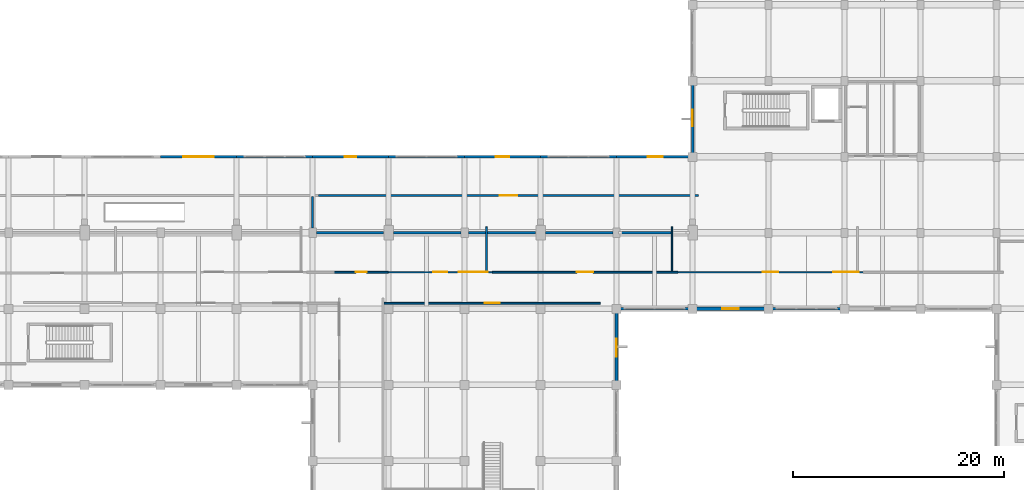
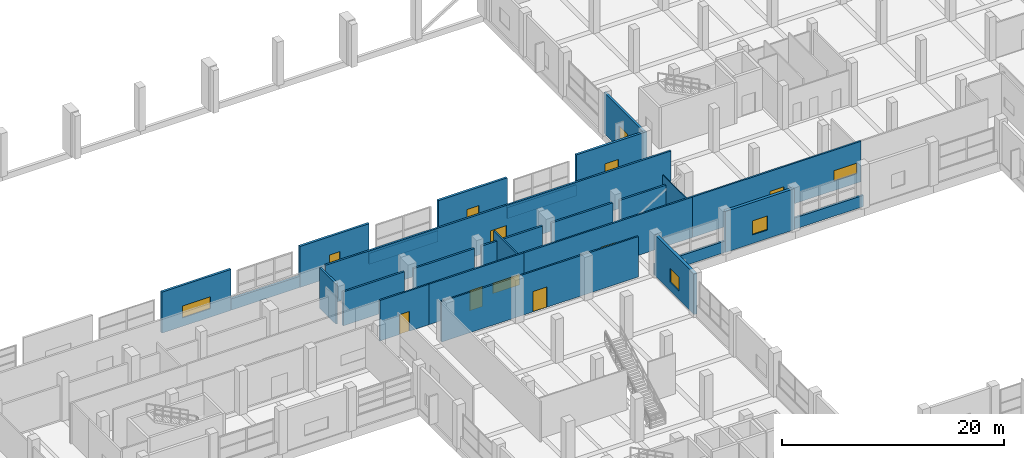
# One storey, part 163 of 181: 27 walls, 9 windows, 6 doors, 15 openings.
"""IFC4 building model written with IfcOpenShell, lengths in metres."""

from ifc_helpers import new_model, si_unit, direction, frame, frame_2d, origin, place, context, subcontext, project, spatial, rectangle, extrude, material, layer, layer_set, type_object, element, fill, save


model = new_model("IFC4")

# Units and contexts
model_context = context("Model", 3, precision=1e-05, world=origin(), true_north=direction((0.0, 1.0)))
body_context = subcontext(model_context, "Body", "Model", "MODEL_VIEW")
ifc_project = project(units=[si_unit("LENGTHUNIT", "METRE"), si_unit("AREAUNIT", "SQUARE_METRE"), si_unit("VOLUMEUNIT", "CUBIC_METRE"), si_unit("PLANEANGLEUNIT", "RADIAN"), si_unit("MASSUNIT", "GRAM", prefix="KILO")], contexts=[model_context])

# Site, building, storey
site_placement = place(None, origin())
site = spatial("IfcSite", under=ifc_project, at=site_placement, CompositionType="ELEMENT")
building_placement = place(site_placement, origin())
building = spatial("IfcBuilding", under=site, at=building_placement, Name="Seraya Terrace Polytechnic", CompositionType="ELEMENT")
storey_placement = place(building_placement, frame((0.0, 0.0, 4.800048828125)))
storey = spatial("IfcBuildingStorey", under=building, at=storey_placement, Name="L01", CompositionType="ELEMENT", Elevation=4.800048828125)

# Wall, opening, window
ifc_material_1 = material(Name="Concrete C40/50", Category="concrete")
ifc_layer_1 = layer(ifc_material_1, 0.300048828125, Name="EW-01")
ifc_layer_set_1 = layer_set([ifc_layer_1], Name="Concrete C40/50")
wall_type_1 = type_object("IfcWallType", Name="EW-01", PredefinedType="SOLIDWALL", material=ifc_layer_set_1)
wall_1_placement = place(storey_placement, frame((122.39990234375, 72.0, 0.0), z_axis=(0.0, 0.0, 1.0), x_axis=(-1.0, 0.0, 0.0)))
wall_1 = element("IfcWall", 1, at=wall_1_placement, inside=storey, type_object=wall_type_1, Name="Exterior structural wall EW-01 L01", PredefinedType="SOLIDWALL", context=body_context, shape_type="SweptSolid", body=[
    extrude(rectangle(XDim=7.199951171875, YDim=0.300048828125, at=frame_2d((3.60009765625, 0.0))), origin(), (0.0, 0.0, 1.0), 4.52001953125),
])
opening_1_placement = place(wall_1_placement, frame((2.824951171875, 0.0, 0.949951171875)))
opening_1 = element("IfcOpeningElement", 2, at=opening_1_placement, cuts=wall_1, Name="Opening WN-16", PredefinedType="OPENING", context=body_context, shape_type="SweptSolid", body=[
    extrude(rectangle(XDim=1.550048828125, YDim=1.550048828125, at=frame_2d((0.77490234375, 0.77490234375))), frame((0.0, 0.162109375, 0.0), z_axis=(0.0, -1.0, 0.0), x_axis=(1.0, 0.0, 0.0)), (0.0, 0.0, 1.0), 0.323974609375),
])
ifc_material_2 = material(Name="Laminated solar-control Low-E double glazing", Category="glass")
window_type_1 = type_object("IfcWindowType", Name="WN-16", PartitioningType="SINGLE_PANEL", PredefinedType="WINDOW", material=ifc_material_2)
window_1_placement = place(opening_1_placement, origin())
window_1 = element("IfcWindow", 3, at=window_1_placement, inside=storey, type_object=window_type_1, Name="Exterior window WN-16 L01", OverallHeight=1.550048828125, OverallWidth=1.550048828125, PartitioningType="SINGLE_PANEL", PredefinedType="WINDOW", context=body_context, shape_type="SweptSolid", body=[
    extrude(rectangle(XDim=1.550048828125, YDim=1.550048828125, at=frame_2d((0.77490234375, 0.77490234375))), frame((0.0, 0.030029296875, 0.0), z_axis=(0.0, -1.0, 0.0), x_axis=(1.0, 0.0, 0.0)), (0.0, 0.0, 1.0), 0.06005859375),
])
fill(opening_1, window_1)

wall_2_placement = place(storey_placement, frame((108.0, 71.847900390625, 0.0), z_axis=(0.0, 0.0, 1.0), x_axis=(0.0, -1.0, 0.0)))
wall_2 = element("IfcWall", 4, at=wall_2_placement, inside=storey, type_object=wall_type_1, Name="Exterior structural wall EW-01 L01", PredefinedType="SOLIDWALL", context=body_context, shape_type="SweptSolid", body=[
    extrude(rectangle(XDim=7.0478515625, YDim=0.300048828125, at=frame_2d((3.52392578125, 0.0))), origin(), (0.0, 0.0, 1.0), 4.52001953125),
])
opening_2_placement = place(wall_2_placement, frame((2.674072265625, 0.0, 0.949951171875)))
opening_2 = element("IfcOpeningElement", 5, at=opening_2_placement, cuts=wall_2, Name="Opening WN-17", PredefinedType="OPENING", context=body_context, shape_type="SweptSolid", body=[
    extrude(rectangle(XDim=1.699951171875, YDim=1.550048828125, at=frame_2d((0.85009765625, 0.77490234375))), frame((0.0, 0.162109375, 0.0), z_axis=(0.0, -1.0, 0.0), x_axis=(1.0, 0.0, 0.0)), (0.0, 0.0, 1.0), 0.323974609375),
])
window_type_2 = type_object("IfcWindowType", Name="WN-17", PartitioningType="SINGLE_PANEL", PredefinedType="WINDOW", material=ifc_material_2)
window_2_placement = place(opening_2_placement, origin())
window_2 = element("IfcWindow", 6, at=window_2_placement, inside=storey, type_object=window_type_2, Name="Exterior window WN-17 L01", OverallHeight=1.550048828125, OverallWidth=1.699951171875, PartitioningType="SINGLE_PANEL", PredefinedType="WINDOW", context=body_context, shape_type="SweptSolid", body=[
    extrude(rectangle(XDim=1.699951171875, YDim=1.550048828125, at=frame_2d((0.85009765625, 0.77490234375))), frame((0.0, 0.030029296875, 0.0), z_axis=(0.0, -1.0, 0.0), x_axis=(1.0, 0.0, 0.0)), (0.0, 0.0, 1.0), 0.06005859375),
])
fill(opening_2, window_2)

ifc_layer_2 = layer(ifc_material_1, 0.239990234375, Name="EW-04")
ifc_layer_set_2 = layer_set([ifc_layer_2], Name="Concrete C40/50")
wall_type_2 = type_object("IfcWallType", Name="EW-04", PredefinedType="SOLIDWALL", material=ifc_layer_set_2)
wall_3_placement = place(storey_placement, frame((64.800048828125, 86.39990234375, 0.0), z_axis=(0.0, 0.0, 1.0), x_axis=(1.0, 0.0, 0.0)))
wall_3 = element("IfcWall", 7, at=wall_3_placement, inside=storey, type_object=wall_type_2, Name="Exterior structural wall EW-04 L01", PredefinedType="SOLIDWALL", context=body_context, shape_type="SweptSolid", body=[
    extrude(rectangle(XDim=7.199951171875, YDim=0.239990234375, at=frame_2d((3.60009765625, 0.0))), origin(), (0.0, 0.0, 1.0), 4.52001953125),
])
opening_3_placement = place(wall_3_placement, frame((2.14990234375, 0.0, 0.949951171875)))
opening_3 = element("IfcOpeningElement", 8, at=opening_3_placement, cuts=wall_3, Name="Opening WN-12", PredefinedType="OPENING", context=body_context, shape_type="SweptSolid", body=[
    extrude(rectangle(XDim=2.89990234375, YDim=1.300048828125, at=frame_2d((1.449951171875, 0.64990234375))), frame((0.0, 0.1318359375, 0.0), z_axis=(0.0, -1.0, 0.0), x_axis=(1.0, 0.0, 0.0)), (0.0, 0.0, 1.0), 0.263916015625),
])
window_type_3 = type_object("IfcWindowType", Name="WN-12", PartitioningType="SINGLE_PANEL", PredefinedType="WINDOW", material=ifc_material_2)
window_3_placement = place(opening_3_placement, origin())
window_3 = element("IfcWindow", 9, at=window_3_placement, inside=storey, type_object=window_type_3, Name="Exterior window WN-12 L01", OverallHeight=1.300048828125, OverallWidth=2.89990234375, PartitioningType="SINGLE_PANEL", PredefinedType="WINDOW", context=body_context, shape_type="SweptSolid", body=[
    extrude(rectangle(XDim=2.89990234375, YDim=1.300048828125, at=frame_2d((1.449951171875, 0.64990234375))), frame((0.0, 0.030029296875, 0.0), z_axis=(0.0, -1.0, 0.0), x_axis=(1.0, 0.0, 0.0)), (0.0, 0.0, 1.0), 0.06005859375),
])
fill(opening_3, window_3)

wall_4_placement = place(storey_placement, frame((79.199951171875, 86.39990234375, 0.0), z_axis=(0.0, 0.0, 1.0), x_axis=(1.0, 0.0, 0.0)))
wall_4 = element("IfcWall", 10, at=wall_4_placement, inside=storey, type_object=wall_type_2, Name="Exterior structural wall EW-04 L01", PredefinedType="SOLIDWALL", context=body_context, shape_type="SweptSolid", body=[
    extrude(rectangle(XDim=7.199951171875, YDim=0.239990234375, at=frame_2d((3.60009765625, 0.0))), origin(), (0.0, 0.0, 1.0), 4.52001953125),
])
opening_4_placement = place(wall_4_placement, frame((3.050048828125, 0.0, 0.949951171875)))
opening_4 = element("IfcOpeningElement", 11, at=opening_4_placement, cuts=wall_4, Name="Opening WN-13", PredefinedType="OPENING", context=body_context, shape_type="SweptSolid", body=[
    extrude(rectangle(XDim=1.10009765625, YDim=1.550048828125, at=frame_2d((0.550048828125, 0.77490234375))), frame((0.0, 0.1318359375, 0.0), z_axis=(0.0, -1.0, 0.0), x_axis=(1.0, 0.0, 0.0)), (0.0, 0.0, 1.0), 0.263916015625),
])
window_type_4 = type_object("IfcWindowType", Name="WN-13", PartitioningType="SINGLE_PANEL", PredefinedType="WINDOW", material=ifc_material_2)
window_4_placement = place(opening_4_placement, origin())
window_4 = element("IfcWindow", 12, at=window_4_placement, inside=storey, type_object=window_type_4, Name="Exterior window WN-13 L01", OverallHeight=1.550048828125, OverallWidth=1.10009765625, PartitioningType="SINGLE_PANEL", PredefinedType="WINDOW", context=body_context, shape_type="SweptSolid", body=[
    extrude(rectangle(XDim=1.10009765625, YDim=1.550048828125, at=frame_2d((0.550048828125, 0.77490234375))), frame((0.0, 0.030029296875, 0.0), z_axis=(0.0, -1.0, 0.0), x_axis=(1.0, 0.0, 0.0)), (0.0, 0.0, 1.0), 0.06005859375),
])
fill(opening_4, window_4)

wall_5_placement = place(storey_placement, frame((93.60009765625, 86.39990234375, 0.0), z_axis=(0.0, 0.0, 1.0), x_axis=(1.0, 0.0, 0.0)))
wall_5 = element("IfcWall", 13, at=wall_5_placement, inside=storey, type_object=wall_type_2, Name="Exterior structural wall EW-04 L01", PredefinedType="SOLIDWALL", context=body_context, shape_type="SweptSolid", body=[
    extrude(rectangle(XDim=7.199951171875, YDim=0.239990234375, at=frame_2d((3.60009765625, 0.0))), origin(), (0.0, 0.0, 1.0), 4.52001953125),
])
opening_5_placement = place(wall_5_placement, frame((2.97509765625, 0.0, 0.949951171875)))
opening_5 = element("IfcOpeningElement", 14, at=opening_5_placement, cuts=wall_5, Name="Opening WN-14", PredefinedType="OPENING", context=body_context, shape_type="SweptSolid", body=[
    extrude(rectangle(XDim=1.25, YDim=1.550048828125, at=frame_2d((0.625, 0.77490234375))), frame((0.0, 0.1318359375, 0.0), z_axis=(0.0, -1.0, 0.0), x_axis=(1.0, 0.0, 0.0)), (0.0, 0.0, 1.0), 0.263916015625),
])
window_type_5 = type_object("IfcWindowType", Name="WN-14", PartitioningType="SINGLE_PANEL", PredefinedType="WINDOW", material=ifc_material_2)
window_5_placement = place(opening_5_placement, origin())
window_5 = element("IfcWindow", 15, at=window_5_placement, inside=storey, type_object=window_type_5, Name="Exterior window WN-14 L01", OverallHeight=1.550048828125, OverallWidth=1.25, PartitioningType="SINGLE_PANEL", PredefinedType="WINDOW", context=body_context, shape_type="SweptSolid", body=[
    extrude(rectangle(XDim=1.25, YDim=1.550048828125, at=frame_2d((0.625, 0.77490234375))), frame((0.0, 0.030029296875, 0.0), z_axis=(0.0, -1.0, 0.0), x_axis=(1.0, 0.0, 0.0)), (0.0, 0.0, 1.0), 0.06005859375),
])
fill(opening_5, window_5)

wall_6_placement = place(storey_placement, frame((108.0, 86.39990234375, 0.0), z_axis=(0.0, 0.0, 1.0), x_axis=(1.0, 0.0, 0.0)))
wall_6 = element("IfcWall", 16, at=wall_6_placement, inside=storey, type_object=wall_type_2, Name="Exterior structural wall EW-04 L01", PredefinedType="SOLIDWALL", context=body_context, shape_type="SweptSolid", body=[
    extrude(rectangle(XDim=7.35009765625, YDim=0.239990234375, at=frame_2d((3.675048828125, 0.0))), origin(), (0.0, 0.0, 1.0), 4.52001953125),
])
opening_6_placement = place(wall_6_placement, frame((2.97509765625, 0.0, 0.949951171875)))
opening_6 = element("IfcOpeningElement", 17, at=opening_6_placement, cuts=wall_6, Name="Opening WN-15", PredefinedType="OPENING", context=body_context, shape_type="SweptSolid", body=[
    extrude(rectangle(XDim=1.39990234375, YDim=1.550048828125, at=frame_2d((0.699951171875, 0.77490234375))), frame((0.0, 0.1318359375, 0.0), z_axis=(0.0, -1.0, 0.0), x_axis=(1.0, 0.0, 0.0)), (0.0, 0.0, 1.0), 0.263916015625),
])
window_type_6 = type_object("IfcWindowType", Name="WN-15", PartitioningType="SINGLE_PANEL", PredefinedType="WINDOW", material=ifc_material_2)
window_6_placement = place(opening_6_placement, origin())
window_6 = element("IfcWindow", 18, at=window_6_placement, inside=storey, type_object=window_type_6, Name="Exterior window WN-15 L01", OverallHeight=1.550048828125, OverallWidth=1.39990234375, PartitioningType="SINGLE_PANEL", PredefinedType="WINDOW", context=body_context, shape_type="SweptSolid", body=[
    extrude(rectangle(XDim=1.39990234375, YDim=1.550048828125, at=frame_2d((0.699951171875, 0.77490234375))), frame((0.0, 0.030029296875, 0.0), z_axis=(0.0, -1.0, 0.0), x_axis=(1.0, 0.0, 0.0)), (0.0, 0.0, 1.0), 0.06005859375),
])
fill(opening_6, window_6)

wall_7_placement = place(storey_placement, frame((115.199951171875, 86.552001953125, 0.0), z_axis=(0.0, 0.0, 1.0), x_axis=(0.0, 1.0, 0.0)))
wall_7 = element("IfcWall", 19, at=wall_7_placement, inside=storey, type_object=wall_type_2, Name="Exterior structural wall EW-04 L01", PredefinedType="SOLIDWALL", context=body_context, shape_type="SweptSolid", body=[
    extrude(rectangle(XDim=7.048095703125, YDim=0.239990234375, at=frame_2d((3.52392578125, 0.0))), origin(), (0.0, 0.0, 1.0), 4.52001953125),
])
opening_7_placement = place(wall_7_placement, frame((2.7490234375, 0.0, 0.949951171875)))
opening_7 = element("IfcOpeningElement", 20, at=opening_7_placement, cuts=wall_7, Name="Opening WN-16", PredefinedType="OPENING", context=body_context, shape_type="SweptSolid", body=[
    extrude(rectangle(XDim=1.550048828125, YDim=1.550048828125, at=frame_2d((0.77490234375, 0.77490234375))), frame((0.0, 0.1318359375, 0.0), z_axis=(0.0, -1.0, 0.0), x_axis=(1.0, 0.0, 0.0)), (0.0, 0.0, 1.0), 0.263916015625),
])
window_7_placement = place(opening_7_placement, origin())
window_7 = element("IfcWindow", 21, at=window_7_placement, inside=storey, type_object=window_type_1, Name="Exterior window WN-16 L01", OverallHeight=1.550048828125, OverallWidth=1.550048828125, PartitioningType="SINGLE_PANEL", PredefinedType="WINDOW", context=body_context, shape_type="SweptSolid", body=[
    extrude(rectangle(XDim=1.550048828125, YDim=1.550048828125, at=frame_2d((0.77490234375, 0.77490234375))), frame((0.0, 0.030029296875, 0.0), z_axis=(0.0, -1.0, 0.0), x_axis=(1.0, 0.0, 0.0)), (0.0, 0.0, 1.0), 0.06005859375),
])
fill(opening_7, window_7)

# Walls
ifc_material_3 = material(Name="Precast concrete C40/50", Category="concrete")
ifc_layer_3 = layer(ifc_material_3, 0.219970703125, Name="EW-05")
ifc_layer_set_3 = layer_set([ifc_layer_3], Name="Precast concrete C40/50")
wall_type_3 = type_object("IfcWallType", Name="EW-05", PredefinedType="SOLIDWALL", material=ifc_layer_set_3)
wall_8_placement = place(storey_placement, frame((72.0, 86.39990234375, 0.0), z_axis=(0.0, 0.0, 1.0), x_axis=(1.0, 0.0, 0.0)))
element("IfcWall", 22, at=wall_8_placement, inside=storey, type_object=wall_type_3, Name="Precast spandrel wall L01", PredefinedType="SOLIDWALL", context=body_context, shape_type="SweptSolid", body=[
    extrude(rectangle(XDim=7.199951171875, YDim=0.219970703125, at=frame_2d((3.60009765625, 0.0))), origin(), (0.0, 0.0, 1.0), 1.239990234375),
])
wall_9_placement = place(storey_placement, frame((86.39990234375, 86.39990234375, 0.0), z_axis=(0.0, 0.0, 1.0), x_axis=(1.0, 0.0, 0.0)))
element("IfcWall", 23, at=wall_9_placement, inside=storey, type_object=wall_type_3, Name="Precast spandrel wall L01", PredefinedType="SOLIDWALL", context=body_context, shape_type="SweptSolid", body=[
    extrude(rectangle(XDim=7.2001953125, YDim=0.219970703125, at=frame_2d((3.60009765625, 0.0))), origin(), (0.0, 0.0, 1.0), 1.239990234375),
])
wall_10_placement = place(storey_placement, frame((100.800048828125, 86.39990234375, 0.0), z_axis=(0.0, 0.0, 1.0), x_axis=(1.0, 0.0, 0.0)))
element("IfcWall", 24, at=wall_10_placement, inside=storey, type_object=wall_type_3, Name="Precast spandrel wall L01", PredefinedType="SOLIDWALL", context=body_context, shape_type="SweptSolid", body=[
    extrude(rectangle(XDim=7.199951171875, YDim=0.219970703125, at=frame_2d((3.60009765625, 0.0))), origin(), (0.0, 0.0, 1.0), 1.239990234375),
])
wall_11_placement = place(storey_placement, frame((129.60009765625, 72.0, 0.0), z_axis=(0.0, 0.0, 1.0), x_axis=(-1.0, 0.0, 0.0)))
element("IfcWall", 25, at=wall_11_placement, inside=storey, type_object=wall_type_3, Name="Precast spandrel wall L01", PredefinedType="SOLIDWALL", context=body_context, shape_type="SweptSolid", body=[
    extrude(rectangle(XDim=7.2001953125, YDim=0.219970703125, at=frame_2d((3.60009765625, 0.0))), origin(), (0.0, 0.0, 1.0), 1.239990234375),
])
wall_12_placement = place(storey_placement, frame((115.199951171875, 72.0, 0.0), z_axis=(0.0, 0.0, 1.0), x_axis=(-1.0, 0.0, 0.0)))
element("IfcWall", 26, at=wall_12_placement, inside=storey, type_object=wall_type_3, Name="Precast spandrel wall L01", PredefinedType="SOLIDWALL", context=body_context, shape_type="SweptSolid", body=[
    extrude(rectangle(XDim=7.349853515625, YDim=0.219970703125, at=frame_2d((3.6748046875, 0.0))), origin(), (0.0, 0.0, 1.0), 1.239990234375),
])

# Wall, opening, door
ifc_material_4 = material(Name="Autoclaved aerated concrete blockwork", Category="masonry")
ifc_layer_4 = layer(ifc_material_4, 0.199951171875, Name="PT-01")
ifc_layer_set_4 = layer_set([ifc_layer_4], Name="Autoclaved aerated concrete blockwork")
wall_type_4 = type_object("IfcWallType", Name="PT-01", PredefinedType="PARTITIONING", material=ifc_layer_set_4)
wall_13_placement = place(storey_placement, frame((79.760009765625, 82.72998046875, 0.0), z_axis=(0.0, 0.0, 1.0), x_axis=(1.0, 0.0, 0.0)))
wall_13 = element("IfcWall", 27, at=wall_13_placement, inside=storey, type_object=wall_type_4, Name="Internal partition PT-01 L01", PredefinedType="PARTITIONING", context=body_context, shape_type="SweptSolid", body=[
    extrude(rectangle(XDim=36.0, YDim=0.199951171875, at=frame_2d((18.0, 0.0))), origin(), (0.0, 0.0, 1.0), 4.4599609375),
])
opening_8_placement = place(wall_13_placement, frame((17.179931640625, 0.0, 0.0)))
opening_8 = element("IfcOpeningElement", 28, at=opening_8_placement, cuts=wall_13, Name="Opening FD-03", PredefinedType="OPENING", context=body_context, shape_type="SweptSolid", body=[
    extrude(rectangle(XDim=1.639892578125, YDim=2.239990234375, at=frame_2d((0.81982421875, 1.1201171875))), frame((0.0, 0.11181640625, 0.0), z_axis=(0.0, -1.0, 0.0), x_axis=(1.0, 0.0, 0.0)), (0.0, 0.0, 1.0), 0.223876953125),
])
ifc_material_5 = material(Name="Steel S355J2", Category="steel")
door_type_1 = type_object("IfcDoorType", Name="FD-03", OperationType="DOUBLE_DOOR_SINGLE_SWING", PredefinedType="DOOR", material=ifc_material_5)
door_1_placement = place(opening_8_placement, origin())
door_1 = element("IfcDoor", 29, at=door_1_placement, inside=storey, type_object=door_type_1, Name="Door FD-03 DR-INT-L01-0102 in WL-INT-L01-0318", OperationType="DOUBLE_DOOR_SINGLE_SWING", OverallHeight=2.239990234375, OverallWidth=1.639892578125, PredefinedType="DOOR", context=body_context, shape_type="SweptSolid", body=[
    extrude(rectangle(XDim=1.639892578125, YDim=2.239990234375, at=frame_2d((0.81982421875, 1.1201171875))), frame((0.0, 0.02490234375, 0.0), z_axis=(0.0, -1.0, 0.0), x_axis=(1.0, 0.0, 0.0)), (0.0, 0.0, 1.0), 0.050048828125),
])
fill(opening_8, door_1)

# Walls
for number, where, z_axis, x_axis, name in (
    (30, (79.56005859375, 79.199951171875, 0.0), (0.0, 0.0, 1.0), (1.0, 0.0, 0.0), "Internal partition PT-01 L01"),
    (31, (86.860107421875, 79.199951171875, 0.0), (0.0, 0.0, 1.0), (1.0, 0.0, 0.0), "Internal partition PT-01 L01"),
):
    element("IfcWall", number, at=place(storey_placement, frame(where, z_axis=z_axis, x_axis=x_axis)), inside=storey, type_object=wall_type_4, Name=name, PredefinedType="PARTITIONING", context=body_context, shape_type="SweptSolid", body=[
        extrude(rectangle(XDim=6.3798828125, YDim=0.199951171875, at=frame_2d((3.18994140625, 0.0))), origin(), (0.0, 0.0, 1.0), 3.72998046875),
    ])
wall_14_placement = place(storey_placement, frame((93.9599609375, 79.199951171875, 0.0), z_axis=(0.0, 0.0, 1.0), x_axis=(1.0, 0.0, 0.0)))
element("IfcWall", 32, at=wall_14_placement, inside=storey, type_object=wall_type_4, Name="Internal partition PT-01 L01", PredefinedType="PARTITIONING", context=body_context, shape_type="SweptSolid", body=[
    extrude(rectangle(XDim=1.6279296875, YDim=0.199951171875, at=frame_2d((0.81396484375, 0.0))), origin(), (0.0, 0.0, 1.0), 3.72998046875),
])
wall_15_placement = place(storey_placement, frame((101.260009765625, 79.199951171875, 0.0), z_axis=(0.0, 0.0, 1.0), x_axis=(1.0, 0.0, 0.0)))
element("IfcWall", 33, at=wall_15_placement, inside=storey, type_object=wall_type_4, Name="Internal partition PT-01 L01", PredefinedType="PARTITIONING", context=body_context, shape_type="SweptSolid", body=[
    extrude(rectangle(XDim=6.3798828125, YDim=0.199951171875, at=frame_2d((3.18994140625, 0.0))), origin(), (0.0, 0.0, 1.0), 3.72998046875),
])
wall_16_placement = place(storey_placement, frame((108.360107421875, 79.199951171875, 0.0), z_axis=(0.0, 0.0, 1.0), x_axis=(1.0, 0.0, 0.0)))
element("IfcWall", 34, at=wall_16_placement, inside=storey, type_object=wall_type_4, Name="Internal partition PT-01 L01", PredefinedType="PARTITIONING", context=body_context, shape_type="SweptSolid", body=[
    extrude(rectangle(XDim=4.828125, YDim=0.199951171875, at=frame_2d((2.4140625, 0.0))), origin(), (0.0, 0.0, 1.0), 3.72998046875),
])
wall_17_placement = place(storey_placement, frame((95.767822265625, 79.199951171875, 0.0), z_axis=(0.0, 0.0, 1.0), x_axis=(1.0, 0.0, 0.0)))
element("IfcWall", 35, at=wall_17_placement, inside=storey, type_object=wall_type_4, Name="Internal partition PT-01 L01", PredefinedType="PARTITIONING", context=body_context, shape_type="SweptSolid", body=[
    extrude(rectangle(XDim=4.572265625, YDim=0.199951171875, at=frame_2d((2.2861328125, 0.0))), origin(), (0.0, 0.0, 1.0), 3.72998046875),
])
wall_18_placement = place(storey_placement, frame((79.199951171875, 79.659912109375, 0.0), z_axis=(0.0, 0.0, 1.0), x_axis=(0.0, 1.0, 0.0)))
element("IfcWall", 36, at=wall_18_placement, inside=storey, type_object=wall_type_4, Name="Internal partition PT-01 L01", PredefinedType="PARTITIONING", context=body_context, shape_type="SweptSolid", body=[
    extrude(rectangle(XDim=2.955078125, YDim=0.199951171875, at=frame_2d((1.4775390625, 0.0))), origin(), (0.0, 0.0, 1.0), 4.4599609375),
])

# Wall, opening, door
ifc_layer_5 = layer(ifc_material_4, 0.169921875, Name="PT-02")
ifc_layer_set_5 = layer_set([ifc_layer_5], Name="Autoclaved aerated concrete blockwork")
wall_type_5 = type_object("IfcWallType", Name="PT-02", PredefinedType="PARTITIONING", material=ifc_layer_set_5)
wall_19_placement = place(storey_placement, frame((81.239990234375, 75.469970703125, 0.0), z_axis=(0.0, 0.0, 1.0), x_axis=(1.0, 0.0, 0.0)))
wall_19 = element("IfcWall", 37, at=wall_19_placement, inside=storey, type_object=wall_type_5, Name="Internal partition PT-02 L01", PredefinedType="PARTITIONING", context=body_context, shape_type="SweptSolid", body=[
    extrude(rectangle(XDim=5.1201171875, YDim=0.169921875, at=frame_2d((2.56005859375, 0.0))), origin(), (0.0, 0.0, 1.0), 4.4599609375),
])
opening_9_placement = place(wall_19_placement, frame((2.0400390625, 0.0, 0.0)))
opening_9 = element("IfcOpeningElement", 38, at=opening_9_placement, cuts=wall_19, Name="Opening ID-04", PredefinedType="OPENING", context=body_context, shape_type="SweptSolid", body=[
    extrude(rectangle(XDim=1.0400390625, YDim=2.179931640625, at=frame_2d((0.52001953125, 1.08984375))), frame((0.0, 0.096923828125, 0.0), z_axis=(0.0, -1.0, 0.0), x_axis=(1.0, 0.0, 0.0)), (0.0, 0.0, 1.0), 0.19384765625),
])
ifc_material_6 = material(Name="Malaysian dark red meranti hardwood timber D40", Category="wood")
door_type_2 = type_object("IfcDoorType", Name="ID-04", OperationType="NOTDEFINED", PredefinedType="DOOR", material=ifc_material_6)
door_2_placement = place(opening_9_placement, frame((1.0400390625, 0.0, 0.0), z_axis=(0.0, 0.0, 1.0), x_axis=(-1.0, 0.0, 0.0)))
door_2 = element("IfcDoor", 39, at=door_2_placement, inside=storey, type_object=door_type_2, Name="Door ID-04 DR-INT-L01-0097 in WL-INT-L01-0280", OperationType="SINGLE_SWING_RIGHT", OverallHeight=2.179931640625, OverallWidth=1.0400390625, PredefinedType="DOOR", context=body_context, shape_type="SweptSolid", body=[
    extrude(rectangle(XDim=1.0400390625, YDim=2.179931640625, at=frame_2d((0.52001953125, 1.08984375))), frame((0.0, 0.02490234375, 0.0), z_axis=(0.0, -1.0, 0.0), x_axis=(1.0, 0.0, 0.0)), (0.0, 0.0, 1.0), 0.050048828125),
])
fill(opening_9, door_2)

# Wall, openings, door, window
wall_20_placement = place(storey_placement, frame((86.360107421875, 75.469970703125, 0.0), z_axis=(0.0, 0.0, 1.0), x_axis=(1.0, 0.0, 0.0)))
wall_20 = element("IfcWall", 40, at=wall_20_placement, inside=storey, type_object=wall_type_5, Name="Internal partition PT-02 L01", PredefinedType="PARTITIONING", context=body_context, shape_type="SweptSolid", body=[
    extrude(rectangle(XDim=9.877685546875, YDim=0.169921875, at=frame_2d((4.93896484375, 0.0))), origin(), (0.0, 0.0, 1.0), 4.4599609375),
])
opening_10_placement = place(wall_20_placement, frame((4.268798828125, 0.0, 0.0)))
opening_10 = element("IfcOpeningElement", 41, at=opening_10_placement, cuts=wall_20, Name="Opening ID-09", PredefinedType="OPENING", context=body_context, shape_type="SweptSolid", body=[
    extrude(rectangle(XDim=1.340087890625, YDim=2.239990234375, at=frame_2d((0.669921875, 1.1201171875))), frame((0.0, 0.096923828125, 0.0), z_axis=(0.0, -1.0, 0.0), x_axis=(1.0, 0.0, 0.0)), (0.0, 0.0, 1.0), 0.19384765625),
])
opening_11_placement = place(wall_20_placement, frame((6.677734375, 0.0, 1.050048828125)))
opening_11 = element("IfcOpeningElement", 42, at=opening_11_placement, cuts=wall_20, Name="Opening IW-05", PredefinedType="OPENING", context=body_context, shape_type="SweptSolid", body=[
    extrude(rectangle(XDim=2.75, YDim=1.14990234375, at=frame_2d((1.375, 0.574951171875))), frame((0.0, 0.096923828125, 0.0), z_axis=(0.0, -1.0, 0.0), x_axis=(1.0, 0.0, 0.0)), (0.0, 0.0, 1.0), 0.19384765625),
])
door_type_3 = type_object("IfcDoorType", Name="ID-09", OperationType="NOTDEFINED", PredefinedType="DOOR", material=ifc_material_6)
door_3_placement = place(opening_10_placement, origin())
door_3 = element("IfcDoor", 43, at=door_3_placement, inside=storey, type_object=door_type_3, Name="Door ID-09 DR-INT-L01-0086 in WL-INT-L01-0294", OperationType="SINGLE_SWING_LEFT", OverallHeight=2.239990234375, OverallWidth=1.340087890625, PredefinedType="DOOR", context=body_context, shape_type="SweptSolid", body=[
    extrude(rectangle(XDim=1.340087890625, YDim=2.239990234375, at=frame_2d((0.669921875, 1.1201171875))), frame((0.0, 0.02490234375, 0.0), z_axis=(0.0, -1.0, 0.0), x_axis=(1.0, 0.0, 0.0)), (0.0, 0.0, 1.0), 0.050048828125),
])
fill(opening_10, door_3)
window_type_7 = type_object("IfcWindowType", Name="IW-05", PartitioningType="SINGLE_PANEL", PredefinedType="WINDOW", material=ifc_material_2)
window_8_placement = place(opening_11_placement, origin())
window_8 = element("IfcWindow", 44, at=window_8_placement, inside=storey, type_object=window_type_7, Name="Internal lab vision window IW-05 L01", OverallHeight=1.14990234375, OverallWidth=2.75, PartitioningType="SINGLE_PANEL", PredefinedType="WINDOW", context=body_context, shape_type="SweptSolid", body=[
    extrude(rectangle(XDim=2.75, YDim=1.14990234375, at=frame_2d((1.375, 0.574951171875))), frame((0.0, 0.030029296875, 0.0), z_axis=(0.0, -1.0, 0.0), x_axis=(1.0, 0.0, 0.0)), (0.0, 0.0, 1.0), 0.06005859375),
])
fill(opening_11, window_8)

# Wall, opening, door
wall_21_placement = place(storey_placement, frame((96.23779296875, 75.469970703125, 0.0), z_axis=(0.0, 0.0, 1.0), x_axis=(1.0, 0.0, 0.0)))
wall_21 = element("IfcWall", 45, at=wall_21_placement, inside=storey, type_object=wall_type_5, Name="Internal partition PT-02 L01", PredefinedType="PARTITIONING", context=body_context, shape_type="SweptSolid", body=[
    extrude(rectangle(XDim=17.575439453125, YDim=0.169921875, at=frame_2d((8.78759765625, 0.0))), origin(), (0.0, 0.0, 1.0), 4.4599609375),
])
opening_12_placement = place(wall_21_placement, frame((8.0078125, 0.0, 0.0)))
opening_12 = element("IfcOpeningElement", 46, at=opening_12_placement, cuts=wall_21, Name="Opening ID-12", PredefinedType="OPENING", context=body_context, shape_type="SweptSolid", body=[
    extrude(rectangle(XDim=1.56005859375, YDim=2.260009765625, at=frame_2d((0.780029296875, 1.1298828125))), frame((0.0, 0.096923828125, 0.0), z_axis=(0.0, -1.0, 0.0), x_axis=(1.0, 0.0, 0.0)), (0.0, 0.0, 1.0), 0.19384765625),
])
door_type_4 = type_object("IfcDoorType", Name="ID-12", OperationType="DOUBLE_DOOR_SINGLE_SWING", PredefinedType="DOOR", material=ifc_material_6)
door_4_placement = place(opening_12_placement, frame((1.56005859375, 0.0, 0.0), z_axis=(0.0, 0.0, 1.0), x_axis=(-1.0, 0.0, 0.0)))
door_4 = element("IfcDoor", 47, at=door_4_placement, inside=storey, type_object=door_type_4, Name="Door ID-12 DR-INT-L01-0073 in WL-INT-L01-0295", OperationType="DOUBLE_DOOR_SINGLE_SWING", OverallHeight=2.260009765625, OverallWidth=1.56005859375, PredefinedType="DOOR", context=body_context, shape_type="SweptSolid", body=[
    extrude(rectangle(XDim=1.56005859375, YDim=2.260009765625, at=frame_2d((0.780029296875, 1.1298828125))), frame((0.0, 0.02490234375, 0.0), z_axis=(0.0, -1.0, 0.0), x_axis=(1.0, 0.0, 0.0)), (0.0, 0.0, 1.0), 0.050048828125),
])
fill(opening_12, door_4)

# Wall, openings, door, window
wall_22_placement = place(storey_placement, frame((113.813232421875, 75.469970703125, 0.0), z_axis=(0.0, 0.0, 1.0), x_axis=(1.0, 0.0, 0.0)))
wall_22 = element("IfcWall", 48, at=wall_22_placement, inside=storey, type_object=wall_type_5, Name="Internal partition PT-02 L01", PredefinedType="PARTITIONING", context=body_context, shape_type="SweptSolid", body=[
    extrude(rectangle(XDim=17.57568359375, YDim=0.169921875, at=frame_2d((8.787841796875, 0.0))), origin(), (0.0, 0.0, 1.0), 4.4599609375),
])
opening_13_placement = place(wall_22_placement, frame((8.0478515625, 0.0, 0.0)))
opening_13 = element("IfcOpeningElement", 49, at=opening_13_placement, cuts=wall_22, Name="Opening ID-11", PredefinedType="OPENING", context=body_context, shape_type="SweptSolid", body=[
    extrude(rectangle(XDim=1.47998046875, YDim=2.260009765625, at=frame_2d((0.739990234375, 1.1298828125))), frame((0.0, 0.096923828125, 0.0), z_axis=(0.0, -1.0, 0.0), x_axis=(1.0, 0.0, 0.0)), (0.0, 0.0, 1.0), 0.19384765625),
])
opening_14_placement = place(wall_22_placement, frame((14.7255859375, 0.0, 1.050048828125)))
opening_14 = element("IfcOpeningElement", 50, at=opening_14_placement, cuts=wall_22, Name="Opening IW-04", PredefinedType="OPENING", context=body_context, shape_type="SweptSolid", body=[
    extrude(rectangle(XDim=2.39990234375, YDim=1.14990234375, at=frame_2d((1.199951171875, 0.574951171875))), frame((0.0, 0.096923828125, 0.0), z_axis=(0.0, -1.0, 0.0), x_axis=(1.0, 0.0, 0.0)), (0.0, 0.0, 1.0), 0.19384765625),
])
door_type_5 = type_object("IfcDoorType", Name="ID-11", OperationType="DOUBLE_DOOR_SINGLE_SWING", PredefinedType="DOOR", material=ifc_material_6)
door_5_placement = place(opening_13_placement, origin())
door_5 = element("IfcDoor", 51, at=door_5_placement, inside=storey, type_object=door_type_5, Name="Door ID-11 DR-INT-L01-0072 in WL-INT-L01-0296", OperationType="DOUBLE_DOOR_SINGLE_SWING", OverallHeight=2.260009765625, OverallWidth=1.47998046875, PredefinedType="DOOR", context=body_context, shape_type="SweptSolid", body=[
    extrude(rectangle(XDim=1.47998046875, YDim=2.260009765625, at=frame_2d((0.739990234375, 1.1298828125))), frame((0.0, 0.02490234375, 0.0), z_axis=(0.0, -1.0, 0.0), x_axis=(1.0, 0.0, 0.0)), (0.0, 0.0, 1.0), 0.050048828125),
])
fill(opening_13, door_5)
window_type_8 = type_object("IfcWindowType", Name="IW-04", PartitioningType="SINGLE_PANEL", PredefinedType="WINDOW", material=ifc_material_2)
window_9_placement = place(opening_14_placement, origin())
window_9 = element("IfcWindow", 52, at=window_9_placement, inside=storey, type_object=window_type_8, Name="Internal lab vision window IW-04 L01", OverallHeight=1.14990234375, OverallWidth=2.39990234375, PartitioningType="SINGLE_PANEL", PredefinedType="WINDOW", context=body_context, shape_type="SweptSolid", body=[
    extrude(rectangle(XDim=2.39990234375, YDim=1.14990234375, at=frame_2d((1.199951171875, 0.574951171875))), frame((0.0, 0.030029296875, 0.0), z_axis=(0.0, -1.0, 0.0), x_axis=(1.0, 0.0, 0.0)), (0.0, 0.0, 1.0), 0.06005859375),
])
fill(opening_14, window_9)

# Wall, opening, door
wall_23_placement = place(storey_placement, frame((85.969970703125, 72.530029296875, 0.0), z_axis=(0.0, 0.0, 1.0), x_axis=(1.0, 0.0, 0.0)))
wall_23 = element("IfcWall", 53, at=wall_23_placement, inside=storey, type_object=wall_type_5, Name="Internal partition PT-02 L01", PredefinedType="PARTITIONING", context=body_context, shape_type="SweptSolid", body=[
    extrude(rectangle(XDim=20.494140625, YDim=0.169921875, at=frame_2d((10.2470703125, 0.0))), origin(), (0.0, 0.0, 1.0), 4.4599609375),
])
opening_15_placement = place(wall_23_placement, frame((9.537109375, 0.0, 0.0)))
opening_15 = element("IfcOpeningElement", 54, at=opening_15_placement, cuts=wall_23, Name="Opening ID-10", PredefinedType="OPENING", context=body_context, shape_type="SweptSolid", body=[
    extrude(rectangle(XDim=1.419921875, YDim=2.239990234375, at=frame_2d((0.7099609375, 1.1201171875))), frame((0.0, 0.096923828125, 0.0), z_axis=(0.0, -1.0, 0.0), x_axis=(1.0, 0.0, 0.0)), (0.0, 0.0, 1.0), 0.19384765625),
])
door_type_6 = type_object("IfcDoorType", Name="ID-10", OperationType="DOUBLE_DOOR_SINGLE_SWING", PredefinedType="DOOR", material=ifc_material_6)
door_6_placement = place(opening_15_placement, frame((1.419921875, 0.0, 0.0), z_axis=(0.0, 0.0, 1.0), x_axis=(-1.0, 0.0, 0.0)))
door_6 = element("IfcDoor", 55, at=door_6_placement, inside=storey, type_object=door_type_6, Name="Door ID-10 DR-INT-L01-0103 in WL-INT-L01-0298", OperationType="DOUBLE_DOOR_SINGLE_SWING", OverallHeight=2.239990234375, OverallWidth=1.419921875, PredefinedType="DOOR", context=body_context, shape_type="SweptSolid", body=[
    extrude(rectangle(XDim=1.419921875, YDim=2.239990234375, at=frame_2d((0.7099609375, 1.1201171875))), frame((0.0, 0.02490234375, 0.0), z_axis=(0.0, -1.0, 0.0), x_axis=(1.0, 0.0, 0.0)), (0.0, 0.0, 1.0), 0.050048828125),
])
fill(opening_15, door_6)

# Walls
ifc_layer_6 = layer(ifc_material_4, 0.14990234375, Name="PT-03")
ifc_layer_set_6 = layer_set([ifc_layer_6], Name="Autoclaved aerated concrete blockwork")
wall_type_6 = type_object("IfcWallType", Name="PT-03", PredefinedType="PARTITIONING", material=ifc_layer_set_6)
wall_24_placement = place(storey_placement, frame((95.677734375, 75.570068359375, 0.0), z_axis=(0.0, 0.0, 1.0), x_axis=(0.0, 1.0, 0.0)))
element("IfcWall", 56, at=wall_24_placement, inside=storey, type_object=wall_type_6, Name="Internal partition PT-03 L01", PredefinedType="PARTITIONING", context=body_context, shape_type="SweptSolid", body=[
    extrude(rectangle(XDim=4.18994140625, YDim=0.14990234375, at=frame_2d((2.094970703125, 0.0))), origin(), (0.0, 0.0, 1.0), 4.4599609375),
])
ifc_layer_7 = layer(ifc_material_4, 0.10009765625, Name="PT-06")
ifc_layer_set_7 = layer_set([ifc_layer_7], Name="Autoclaved aerated concrete blockwork")
wall_type_7 = type_object("IfcWallType", Name="PT-06", PredefinedType="PARTITIONING", material=ifc_layer_set_7)
wall_25_placement = place(storey_placement, frame((113.25341796875, 75.570068359375, 0.0), z_axis=(0.0, 0.0, 1.0), x_axis=(0.0, 1.0, 0.0)))
element("IfcWall", 57, at=wall_25_placement, inside=storey, type_object=wall_type_7, Name="Internal partition PT-06 L01", PredefinedType="PARTITIONING", context=body_context, shape_type="SweptSolid", body=[
    extrude(rectangle(XDim=4.18994140625, YDim=0.10009765625, at=frame_2d((2.094970703125, 0.0))), origin(), (0.0, 0.0, 1.0), 4.4599609375),
])

save(model, "model.ifc")
